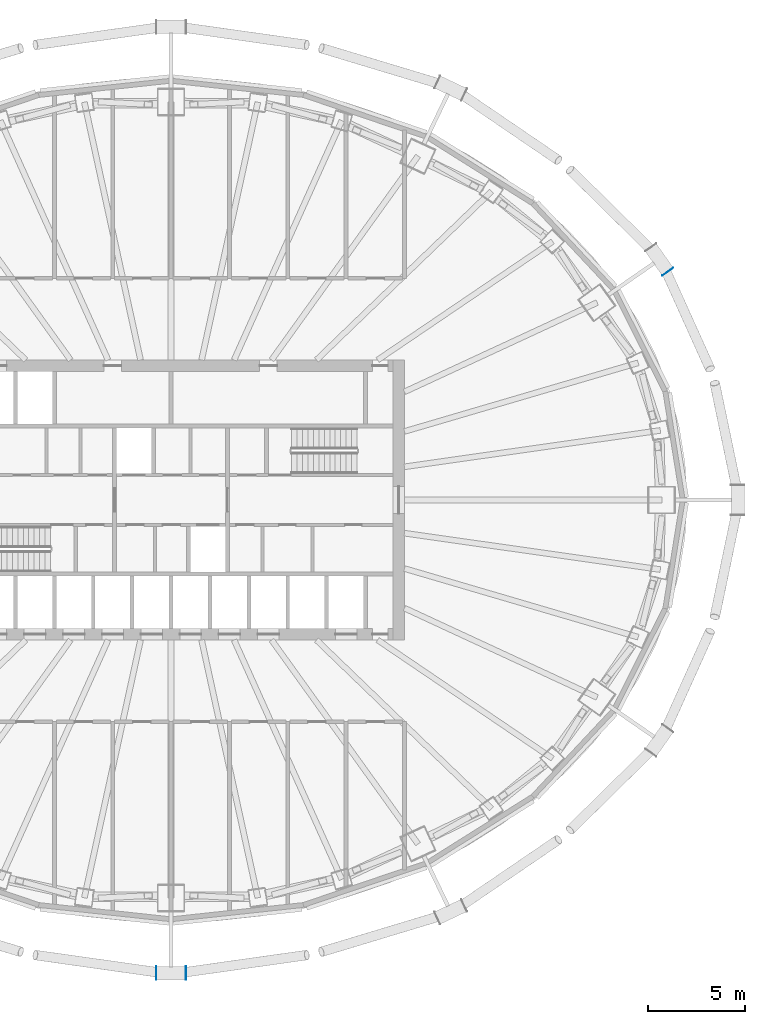
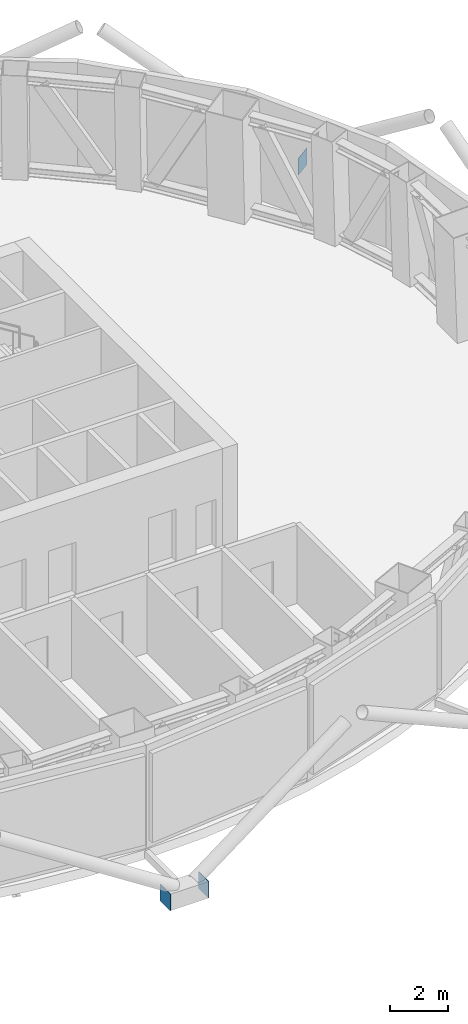
# One storey, part 12 of 18: 3 discrete accessories.
"""IFC4 building model written with IfcOpenShell, lengths in metres."""

from ifc_helpers import new_model, si_unit, direction, frame, origin, origin_2d, place, context, subcontext, project, spatial, rectangle, extrude, material, layer, layer_set, type_object, element, save


model = new_model("IFC4")

# Units and contexts
model_context = context("Model", 3, precision=1e-05, world=origin(), true_north=direction((0.0, 1.0)))
body_context = subcontext(model_context, "Body", "Model", "MODEL_VIEW")
ifc_project = project(units=[si_unit("LENGTHUNIT", "METRE"), si_unit("AREAUNIT", "SQUARE_METRE"), si_unit("VOLUMEUNIT", "CUBIC_METRE"), si_unit("PLANEANGLEUNIT", "RADIAN"), si_unit("MASSUNIT", "GRAM", prefix="KILO")], contexts=[model_context])

# Site, building, storey
site_placement = place(None, origin())
site = spatial("IfcSite", under=ifc_project, at=site_placement, CompositionType="ELEMENT")
building_placement = place(site_placement, origin())
building = spatial("IfcBuilding", under=site, at=building_placement, Name="Siaravel Broadcast Tower", CompositionType="ELEMENT")
storey_placement = place(building_placement, frame((0.0, 0.0, 92.60009765625)))
storey = spatial("IfcBuildingStorey", under=building, at=storey_placement, Name="L21", CompositionType="ELEMENT", Elevation=92.60009765625)

# Discrete accessories
ifc_material = material(Name="Steel S355", Category="steel")
ifc_layer = layer(ifc_material, 0.02001953125)
ifc_layer_set = layer_set([ifc_layer], Name="Steel S355")
discrete_accessory_type = type_object("IfcDiscreteAccessoryType", Name="Steel end plate 20 mm", PredefinedType="USERDEFINED", material=ifc_layer_set)
for number, where, z_axis, x_axis, name in (
    (1, (25.5400390625, 11.7392578125, -0.55029296875), (0.0, 0.0, 1.0), (-0.576118513, 0.817366172, 0.0), "End plate R09 station 06B"),
    (2, (0.763427734375, -24.33056640625, -0.55029296875), (0.0, 0.0, 1.0), (1.0, 0.0, 0.0), "End plate R09 station 54A"),
    (3, (-0.763427734375, -24.33056640625, -0.55029296875), (0.0, 0.0, 1.0), (1.0, 0.0, 0.0), "End plate R09 station 54B"),
):
    element("IfcDiscreteAccessory", number, at=place(storey_placement, frame(where, z_axis=z_axis, x_axis=x_axis)), inside=storey, type_object=discrete_accessory_type, Name=name, ObjectType="END PLATE", PredefinedType="USERDEFINED", context=body_context, shape_type="SweptSolid", body=[
        extrude(rectangle(XDim=0.02001953125, YDim=0.699951171875, at=origin_2d()), origin(), (0.0, 0.0, 1.0), 0.699951171875),
    ])

save(model, "model.ifc")
